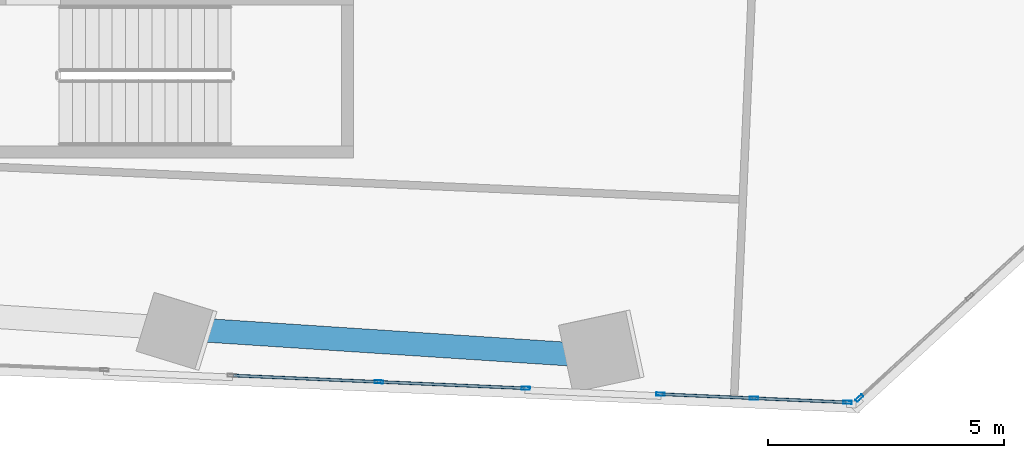
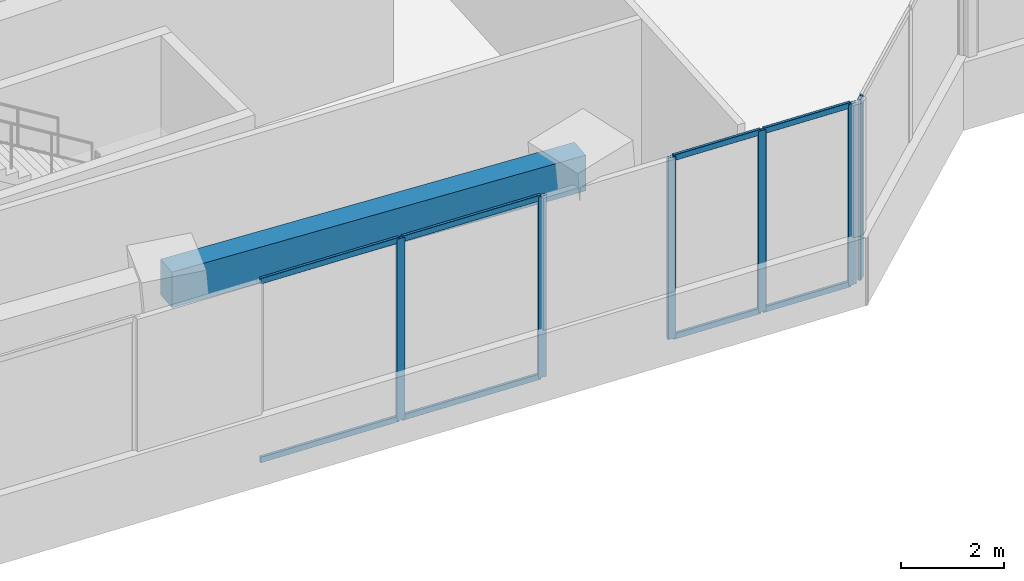
# One storey, part 5 of 27: 14 members, 1 beam, 3 elements without a shape of their own.
"""IFC4 building model written with IfcOpenShell, lengths in metres."""

from ifc_helpers import new_model, si_unit, direction, frame, origin, origin_2d, place, context, subcontext, project, spatial, rectangle, hollow_rectangle, extrude, source, transform, mapped, material, material_profile, profile_set, type_object, element, aggregate, save


model = new_model("IFC4")

# Units and contexts
model_context = context("Model", 3, precision=1e-05, world=origin(), true_north=direction((0.0, 1.0)))
body_context = subcontext(model_context, "Body", "Model", "MODEL_VIEW")
ifc_project = project(units=[si_unit("LENGTHUNIT", "METRE"), si_unit("AREAUNIT", "SQUARE_METRE"), si_unit("VOLUMEUNIT", "CUBIC_METRE"), si_unit("PLANEANGLEUNIT", "RADIAN"), si_unit("MASSUNIT", "GRAM", prefix="KILO")], contexts=[model_context])

# Site, building, storey
site_placement = place(None, origin())
site = spatial("IfcSite", under=ifc_project, at=site_placement, CompositionType="ELEMENT")
building_placement = place(site_placement, origin())
building = spatial("IfcBuilding", under=site, at=building_placement, Name="Torre Montelarca", CompositionType="ELEMENT")
storey_placement = place(building_placement, frame((0.0, 0.0, 37.60009765625)))
storey = spatial("IfcBuildingStorey", under=building, at=storey_placement, Name="L08", CompositionType="ELEMENT", Elevation=37.60009765625)

# Beam
ifc_material_1 = material(Name="Concrete C55/67", Category="concrete")
ifc_material_profile_1 = material_profile(ifc_material_1, rectangle(XDim=0.5, YDim=0.85009765625, at=origin_2d()), Name="RCB500X850", Category="concrete")
ifc_profile_set_1 = profile_set([ifc_material_profile_1], Name="Concrete C55/67")
beam_type = type_object("IfcBeamType", Name="BM-SP-RC850-EXT", PredefinedType="SPANDREL", material=ifc_profile_set_1)
shared_shape_1 = source(origin(), body_context, "Body", "SweptSolid", [
    extrude(rectangle(XDim=0.5, YDim=0.85009765625, at=origin_2d()), origin(), (0.0, 0.0, 1.0), 9.0),
])
beam_placement = place(storey_placement, frame((16.882568359375, 15.065673828125, 4.135009765625), z_axis=(0.99785895206, -0.065402689504, 0.0), x_axis=(0.065402689504, 0.99785895206, 0.0)))
element("IfcBeam", 1, at=beam_placement, inside=storey, type_object=beam_type, Name="L08 Grid Girder X 18.0-27.0 at Y=14.8", PredefinedType="SPANDREL", context=body_context, shape_type="MappedRepresentation", body=[
    mapped(shared_shape_1, transform((0.0, 0.0, 0.0), scale=1.0)),
])

# Curtain wall, members
ifc_material_2 = material(Name="Insulated low-E laminated glass", Category="glass")
curtain_wall_type = type_object("IfcCurtainWallType", Name="CW-SYS-Z1", PredefinedType="USERDEFINED", material=ifc_material_2)
curtain_wall_1_placement = place(storey_placement, origin())
curtain_wall_1 = element("IfcCurtainWall", 2, at=curtain_wall_1_placement, inside=storey, type_object=curtain_wall_type, Name="L08 Curtain Wall Run CW-T3-L08-E01-B3", ObjectType="UNITISED GLAZING", PredefinedType="USERDEFINED")
ifc_material_3 = material(Name="Anodised aluminium AA 6063-T6", Category="aluminium")
ifc_material_profile_2 = material_profile(ifc_material_3, hollow_rectangle(XDim=0.06494140625, YDim=0.139892578125, WallThickness=0.00390625, InnerFilletRadius=0.00390625, OuterFilletRadius=0.008056640625, at=origin_2d()), Name="ALU65X140X4", Category="aluminium")
ifc_profile_set_2 = profile_set([ifc_material_profile_2], Name="Anodised aluminium AA 6063-T6")
member_type_1 = type_object("IfcMemberType", Name="CWT-ALU140", PredefinedType="USERDEFINED", material=ifc_profile_set_2)
shared_shape_2 = source(origin(), body_context, "Body", "SweptSolid", [
    extrude(hollow_rectangle(XDim=0.06494140625, YDim=0.139892578125, WallThickness=0.00390625, InnerFilletRadius=0.00390625, OuterFilletRadius=0.008056640625, at=origin_2d()), origin(), (0.0, 0.0, 1.0), 1.9169921875),
])
member_1_placement = place(storey_placement, frame((27.475341796875, 13.65185546875, 0.032470703125), z_axis=(0.99905110572, -0.043553279561, 0.0), x_axis=(0.043553279561, 0.99905110572, 0.0)))
member_1 = element("IfcMember", 3, at=member_1_placement, type_object=member_type_1, Name="CW transom 1.1", ObjectType="TRANSOM", PredefinedType="USERDEFINED", context=body_context, shape_type="MappedRepresentation", body=[
    mapped(shared_shape_2, transform((0.0, 0.0, 0.0), scale=1.0)),
])
member_2_placement = place(storey_placement, frame((27.475341796875, 13.65185546875, 4.287353515625), z_axis=(0.99905110572, -0.043553279561, 0.0), x_axis=(0.043553279561, 0.99905110572, 0.0)))
member_2 = element("IfcMember", 4, at=member_2_placement, type_object=member_type_1, Name="CW transom 1.2", ObjectType="TRANSOM", PredefinedType="USERDEFINED", context=body_context, shape_type="MappedRepresentation", body=[
    mapped(shared_shape_2, transform((0.0, 0.0, 0.0), scale=1.0)),
])
member_3_placement = place(storey_placement, frame((29.45556640625, 13.5654296875, 0.032470703125), z_axis=(0.99905110572, -0.043553279561, 0.0), x_axis=(0.043553279561, 0.99905110572, 0.0)))
member_3 = element("IfcMember", 5, at=member_3_placement, type_object=member_type_1, Name="CW transom 2.1", ObjectType="TRANSOM", PredefinedType="USERDEFINED", context=body_context, shape_type="MappedRepresentation", body=[
    mapped(shared_shape_2, transform((0.0, 0.0, 0.0), scale=1.0)),
])
member_4_placement = place(storey_placement, frame((29.45556640625, 13.5654296875, 4.287353515625), z_axis=(0.99905110572, -0.043553279561, 0.0), x_axis=(0.043553279561, 0.99905110572, 0.0)))
member_4 = element("IfcMember", 6, at=member_4_placement, type_object=member_type_1, Name="CW transom 2.2", ObjectType="TRANSOM", PredefinedType="USERDEFINED", context=body_context, shape_type="MappedRepresentation", body=[
    mapped(shared_shape_2, transform((0.0, 0.0, 0.0), scale=1.0)),
])

curtain_wall_2_placement = place(storey_placement, origin())
curtain_wall_2 = element("IfcCurtainWall", 7, at=curtain_wall_2_placement, inside=storey, type_object=curtain_wall_type, Name="L08 Curtain Wall Run CW-T3-L08-E01-B2", ObjectType="UNITISED GLAZING", PredefinedType="USERDEFINED")
ifc_material_profile_3 = material_profile(ifc_material_3, hollow_rectangle(XDim=0.06494140625, YDim=0.179931640625, WallThickness=0.00390625, InnerFilletRadius=0.00390625, OuterFilletRadius=0.008056640625, at=origin_2d()), Name="ALU65X180X4", Category="aluminium")
ifc_profile_set_3 = profile_set([ifc_material_profile_3], Name="Anodised aluminium AA 6063-T6")
member_type_2 = type_object("IfcMemberType", Name="CWM-ALU180", PredefinedType="MULLION", material=ifc_profile_set_3)
shared_shape_3 = source(origin(), body_context, "Body", "SweptSolid", [
    extrude(hollow_rectangle(XDim=0.06494140625, YDim=0.179931640625, WallThickness=0.00390625, InnerFilletRadius=0.00390625, OuterFilletRadius=0.008056640625, at=origin_2d()), origin(), (0.0, 0.0, 1.0), 4.31982421875),
])
member_5_placement = place(storey_placement, frame((21.4853515625, 13.913330078125, 0.0), z_axis=(0.0, 0.0, 1.0), x_axis=(0.0436194074, 0.999048220707, 0.0)))
member_5 = element("IfcMember", 8, at=member_5_placement, type_object=member_type_2, Name="CW mullion 2", PredefinedType="MULLION", context=body_context, shape_type="MappedRepresentation", body=[
    mapped(shared_shape_3, transform((0.0, 0.0, 0.0), scale=1.0)),
])
member_6_placement = place(storey_placement, frame((24.59423828125, 13.77783203125, 0.0), z_axis=(0.0, 0.0, 1.0), x_axis=(0.0436194074, 0.999048220707, 0.0)))
member_6 = element("IfcMember", 9, at=member_6_placement, type_object=member_type_2, Name="CW mullion 3", PredefinedType="MULLION", context=body_context, shape_type="MappedRepresentation", body=[
    mapped(shared_shape_3, transform((0.0, 0.0, 0.0), scale=1.0)),
])

# Member
member_7_placement = place(storey_placement, frame((27.44287109375, 13.6533203125, 0.0), z_axis=(0.0, 0.0, 1.0), x_axis=(0.043606318081, 0.999048792113, 0.0)))
member_7 = element("IfcMember", 10, at=member_7_placement, type_object=member_type_2, Name="CW mullion 1", PredefinedType="MULLION", context=body_context, shape_type="MappedRepresentation", body=[
    mapped(shared_shape_3, transform((0.0, 0.0, 0.0), scale=1.0)),
])

member_8_placement = place(storey_placement, frame((29.423095703125, 13.56689453125, 0.0), z_axis=(0.0, 0.0, 1.0), x_axis=(0.043606318081, 0.999048792113, 0.0)))
member_8 = element("IfcMember", 11, at=member_8_placement, type_object=member_type_2, Name="CW mullion 2", PredefinedType="MULLION", context=body_context, shape_type="MappedRepresentation", body=[
    mapped(shared_shape_3, transform((0.0, 0.0, 0.0), scale=1.0)),
])

member_9_placement = place(storey_placement, frame((31.4033203125, 13.48046875, 0.0), z_axis=(0.0, 0.0, 1.0), x_axis=(0.043606318081, 0.999048792113, 0.0)))
member_9 = element("IfcMember", 12, at=member_9_placement, type_object=member_type_2, Name="CW mullion 3", PredefinedType="MULLION", context=body_context, shape_type="MappedRepresentation", body=[
    mapped(shared_shape_3, transform((0.0, 0.0, 0.0), scale=1.0)),
])

aggregate(curtain_wall_1, [member_7, member_8, member_9, member_1, member_2, member_3, member_4])

# Curtain wall, member
curtain_wall_3_placement = place(storey_placement, origin())
curtain_wall_3 = element("IfcCurtainWall", 13, at=curtain_wall_3_placement, inside=storey, type_object=curtain_wall_type, Name="L08 Curtain Wall Run CW-T3-L08-E02-B1", ObjectType="UNITISED GLAZING", PredefinedType="USERDEFINED")
member_10_placement = place(storey_placement, frame((31.654052734375, 13.57177734375, 0.0), z_axis=(0.0, 0.0, 1.0), x_axis=(-0.675574618781, 0.737291621042, 0.0)))
member_10 = element("IfcMember", 14, at=member_10_placement, type_object=member_type_2, Name="CW mullion 1", PredefinedType="MULLION", context=body_context, shape_type="MappedRepresentation", body=[
    mapped(shared_shape_3, transform((0.0, 0.0, 0.0), scale=1.0)),
])
aggregate(curtain_wall_3, [member_10])

# Member
shared_shape_4 = source(origin(), body_context, "Body", "SweptSolid", [
    extrude(hollow_rectangle(XDim=0.06494140625, YDim=0.139892578125, WallThickness=0.00390625, InnerFilletRadius=0.00390625, OuterFilletRadius=0.008056640625, at=origin_2d()), origin(), (0.0, 0.0, 1.0), 3.046875),
])
member_11_placement = place(storey_placement, frame((18.408935546875, 14.0478515625, 0.032470703125), z_axis=(0.999046001699, -0.04367020139, 0.0), x_axis=(0.04367020139, 0.999046001699, 0.0)))
member_11 = element("IfcMember", 15, at=member_11_placement, type_object=member_type_1, Name="CW transom 1.1", ObjectType="TRANSOM", PredefinedType="USERDEFINED", context=body_context, shape_type="MappedRepresentation", body=[
    mapped(shared_shape_4, transform((0.0, 0.0, 0.0), scale=1.0)),
])

member_12_placement = place(storey_placement, frame((18.408935546875, 14.0478515625, 4.287353515625), z_axis=(0.999046001699, -0.04367020139, 0.0), x_axis=(0.04367020139, 0.999046001699, 0.0)))
member_12 = element("IfcMember", 16, at=member_12_placement, type_object=member_type_1, Name="CW transom 1.2", ObjectType="TRANSOM", PredefinedType="USERDEFINED", context=body_context, shape_type="MappedRepresentation", body=[
    mapped(shared_shape_4, transform((0.0, 0.0, 0.0), scale=1.0)),
])

member_13_placement = place(storey_placement, frame((21.517822265625, 13.912109375, 0.032470703125), z_axis=(0.999046001699, -0.04367020139, 0.0), x_axis=(0.04367020139, 0.999046001699, 0.0)))
member_13 = element("IfcMember", 17, at=member_13_placement, type_object=member_type_1, Name="CW transom 2.1", ObjectType="TRANSOM", PredefinedType="USERDEFINED", context=body_context, shape_type="MappedRepresentation", body=[
    mapped(shared_shape_4, transform((0.0, 0.0, 0.0), scale=1.0)),
])

member_14_placement = place(storey_placement, frame((21.517822265625, 13.912109375, 4.287353515625), z_axis=(0.999046001699, -0.04367020139, 0.0), x_axis=(0.04367020139, 0.999046001699, 0.0)))
member_14 = element("IfcMember", 18, at=member_14_placement, type_object=member_type_1, Name="CW transom 2.2", ObjectType="TRANSOM", PredefinedType="USERDEFINED", context=body_context, shape_type="MappedRepresentation", body=[
    mapped(shared_shape_4, transform((0.0, 0.0, 0.0), scale=1.0)),
])

aggregate(curtain_wall_2, [member_5, member_6, member_11, member_12, member_13, member_14])

save(model, "model.ifc")
